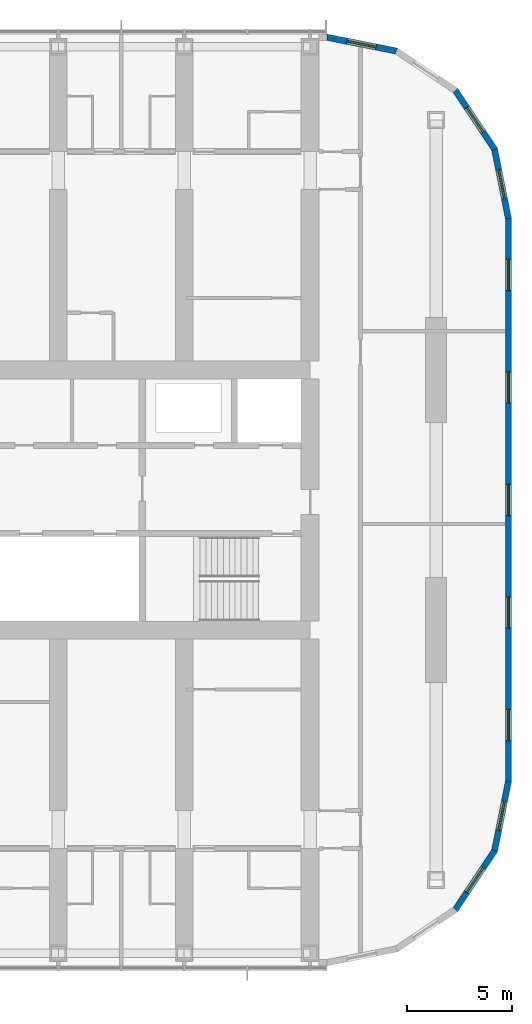
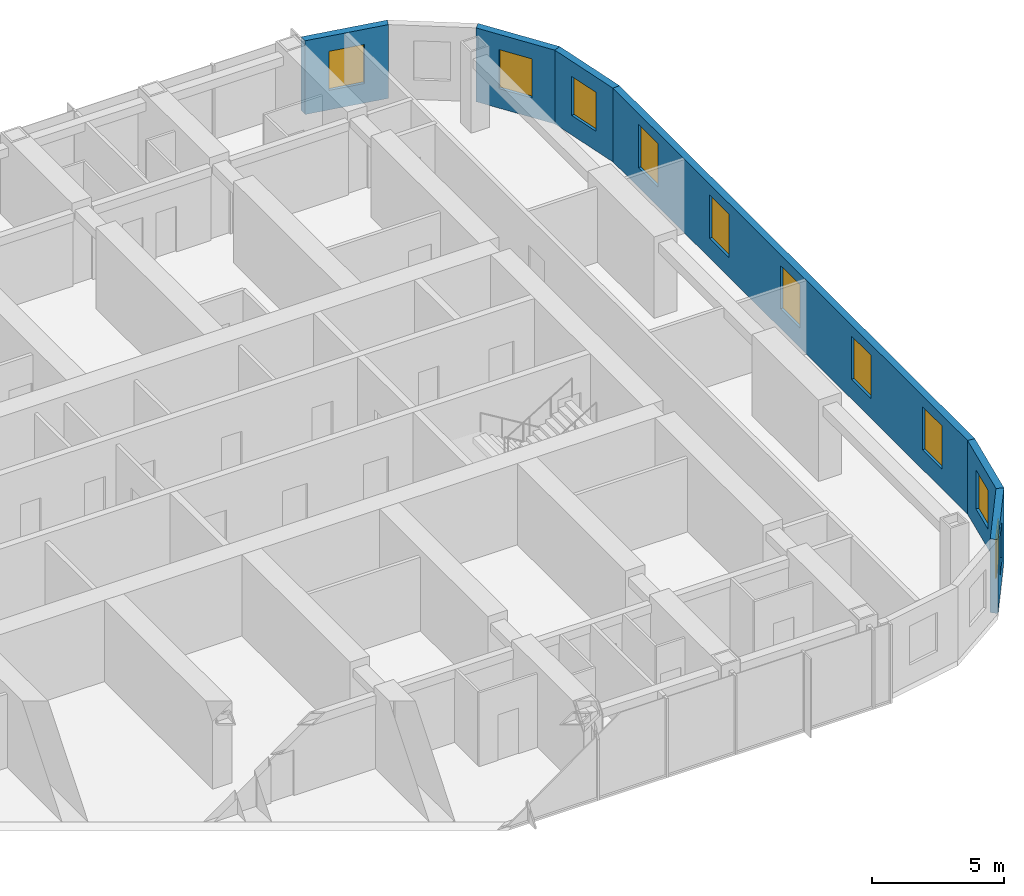
# One storey, part 17 of 22: 10 windows, 6 walls, 10 openings.
"""IFC4 building model written with IfcOpenShell, lengths in metres."""

import ifcopenshell
import ifcopenshell.guid

model = None  # the IFC model being written
_history = None  # IfcOwnerHistory: only IFC2X3 demands one
_inside = {}  # id of a spatial element -> (the spatial element, [elements in it])
_under = {}  # id of a project, library or spatial element -> (it, [spatial elements below it])
_declared = {}  # id of a project -> (the project, [libraries it declares])
_typed = {}  # id of a type object -> (the type object, [elements of that type])
_made_of = {}  # id of a material, layer set ... -> (it, [elements and type objects made of it])


def new_model(schema):
    """Start an empty IFC model of exactly this schema.

    Asked for "IFC4X3", IfcOpenShell would pick the latest addendum, in which some entities
    have other attributes; the version numbers below select the first issue.
    IFC2X3 requires an IfcOwnerHistory on every rooted entity: one is made here for all.
    """
    global model, _history
    if schema == "IFC4X3":
        model = ifcopenshell.file(schema_version=(4, 3, 0, 0))
    else:
        model = ifcopenshell.file(schema=schema)
    _inside.clear()
    _under.clear()
    _declared.clear()
    _typed.clear()
    _made_of.clear()
    _history = None
    if model.schema == "IFC2X3":
        org = make("IfcOrganization", Name="unknown")
        user = make(
            "IfcPersonAndOrganization",
            ThePerson=make("IfcPerson", FamilyName="unknown"),
            TheOrganization=org,
        )
        app = make(
            "IfcApplication",
            ApplicationDeveloper=org,
            Version="unknown",
            ApplicationFullName="unknown",
            ApplicationIdentifier="unknown",
        )
        _history = make(
            "IfcOwnerHistory",
            OwningUser=user,
            OwningApplication=app,
            ChangeAction="ADDED",
            CreationDate=0,
        )
    return model


def make(cls, **values):
    """One entity of the class cls with the attributes given. An attribute that is None is left unset."""
    return model.create_entity(
        cls, **{name: value for name, value in values.items() if value is not None}
    )


def rooted(cls, **values):
    """An entity with a GlobalId (a new one), such as an element, a storey or a relation."""
    return make(cls, GlobalId=ifcopenshell.guid.new(), OwnerHistory=_history, **values)


def si_unit(unit_type, name, prefix=None):
    """IfcSIUnit, for example si_unit("LENGTHUNIT", "METRE", prefix="MILLI")."""
    return make("IfcSIUnit", UnitType=unit_type, Prefix=prefix, Name=name)


def assignment(units):
    """IfcUnitAssignment: the units of a project."""
    return None if units is None else make("IfcUnitAssignment", Units=units)


def point(xyz):
    """IfcCartesianPoint."""
    return None if xyz is None else make("IfcCartesianPoint", Coordinates=xyz)


def direction(xyz):
    """IfcDirection."""
    return None if xyz is None else make("IfcDirection", DirectionRatios=xyz)


def frame(location, z_axis=None, x_axis=None):
    """IfcAxis2Placement3D, a coordinate frame: its origin and axes. An axis left out is left unset."""
    return make(
        "IfcAxis2Placement3D",
        Location=point(location),
        Axis=direction(z_axis),
        RefDirection=direction(x_axis),
    )


def frame_2d(location, x_axis=None):
    """IfcAxis2Placement2D, a coordinate frame in the plane: its origin and x axis."""
    return make(
        "IfcAxis2Placement2D", Location=point(location), RefDirection=direction(x_axis)
    )


def origin():
    """The frame at (0, 0, 0) with its axes left unset."""
    return frame((0.0, 0.0, 0.0))


def place(relative_to, where):
    """IfcLocalPlacement: puts the frame where relative to a parent placement (None: the world)."""
    return make(
        "IfcLocalPlacement", PlacementRelTo=relative_to, RelativePlacement=where
    )


def context(
    kind, dimensions, precision=None, world=None, true_north=None, identifier=None
):
    """IfcGeometricRepresentationContext, for example the 3D "Model" context."""
    return make(
        "IfcGeometricRepresentationContext",
        ContextIdentifier=identifier,
        ContextType=kind,
        CoordinateSpaceDimension=dimensions,
        Precision=precision,
        WorldCoordinateSystem=world,
        TrueNorth=true_north,
    )


def subcontext(parent, identifier, kind, view, scale=None):
    """IfcGeometricRepresentationSubContext, for example "Body" below "Model"."""
    return make(
        "IfcGeometricRepresentationSubContext",
        ContextIdentifier=identifier,
        ContextType=kind,
        ParentContext=parent,
        TargetScale=scale,
        TargetView=view,
    )


def project(units=None, contexts=None):
    """IfcProject with its units and contexts."""
    return rooted(
        "IfcProject",
        Name="project",
        RepresentationContexts=contexts,
        UnitsInContext=assignment(units),
    )


def spatial(cls, under=None, at=None, **own):
    """A site, building, storey or space (cls), placed at a placement, below another one or the project."""
    s = rooted(cls, ObjectPlacement=at, **own)
    if under is not None:
        _under.setdefault(under.id(), (under, []))[1].append(s)
    return s


def polyline(points):
    """IfcPolyline through the points."""
    return make("IfcPolyline", Points=[point(p) for p in points])


def profile(cls, at=None, kind="AREA", **sizes):
    """A parametric profile (cls). Its sizes go by their IFC names, for example OverallWidth=200.0."""
    return make(cls, ProfileType=kind, Position=at, **sizes)


def rectangle(**sizes):
    """IfcRectangleProfileDef."""
    return profile("IfcRectangleProfileDef", **sizes)


def outline(outer, holes=None, kind="AREA"):
    """IfcArbitraryClosedProfileDef: a profile drawn as a closed curve; with holes, ...WithVoids."""
    if holes is None:
        return make("IfcArbitraryClosedProfileDef", ProfileType=kind, OuterCurve=outer)
    return make(
        "IfcArbitraryProfileDefWithVoids",
        ProfileType=kind,
        OuterCurve=outer,
        InnerCurves=holes,
    )


def extrude(swept, where, along, depth):
    """IfcExtrudedAreaSolid: the profile swept, set in the frame where, extruded along a direction by depth."""
    return make(
        "IfcExtrudedAreaSolid",
        SweptArea=swept,
        Position=where,
        ExtrudedDirection=direction(along),
        Depth=depth,
    )


def shape(context_of_items, identifier, shape_type, items):
    """IfcShapeRepresentation: the items that make up one representation, for example the "Body"."""
    return make(
        "IfcShapeRepresentation",
        ContextOfItems=context_of_items,
        RepresentationIdentifier=identifier,
        RepresentationType=shape_type,
        Items=items,
    )


def material(Name=None, Category=None):
    """IfcMaterial."""
    return make("IfcMaterial", Name=Name, Category=Category)


def layer(
    of_material, thickness, ventilated=None, Name=None, Category=None, Priority=None
):
    """IfcMaterialLayer: one layer of a wall or slab, of a material (None: an air gap)."""
    return make(
        "IfcMaterialLayer",
        Material=of_material,
        LayerThickness=thickness,
        IsVentilated=ventilated,
        Name=Name,
        Category=Category,
        Priority=Priority,
    )


def layer_set(layers, Name=None):
    """IfcMaterialLayerSet."""
    return make("IfcMaterialLayerSet", MaterialLayers=layers, LayerSetName=Name)


def made_of(thing, what):
    """Note that an element or type object is made of a material, layer set ...; save() writes the relation."""
    if what is not None:
        _made_of.setdefault(what.id(), (what, []))[1].append(thing)
    return thing


def type_object(cls, material=None, **own):
    """A type object (cls), such as IfcWallType, which elements share."""
    return made_of(rooted(cls, **own), material)


def element(
    cls,
    number,
    at=None,
    inside=None,
    cuts=None,
    type_object=None,
    material=None,
    context=None,
    identifier="Body",
    shape_type=None,
    held_by="IfcProductDefinitionShape",
    body=None,
    shapes=None,
    **own,
):
    """One element of the class cls, such as IfcWall. Its Tag is "e" and its number.

    at: its placement. inside: the storey or other place that contains it. cuts: it is an
    opening in that element (IfcRelVoidsElement). A single representation is given by context,
    identifier, shape_type and body (its items); several are given by shapes. held_by: the class
    of the entity that holds the representations. save() writes the other relations.
    """
    e = rooted(cls, Tag="e%d" % number, ObjectPlacement=at, **own)
    if body is not None:
        shapes = [shape(context, identifier, shape_type, body)]
    if shapes is not None:
        e.Representation = make(held_by, Representations=shapes)
    if inside is not None:
        _inside.setdefault(inside.id(), (inside, []))[1].append(e)
    if cuts is not None:
        rooted(
            "IfcRelVoidsElement", RelatingBuildingElement=cuts, RelatedOpeningElement=e
        )
    if type_object is not None:
        _typed.setdefault(type_object.id(), (type_object, []))[1].append(e)
    return made_of(e, material)


def fill(opening, filler):
    """IfcRelFillsElement: the door or window that sits in an opening."""
    return rooted(
        "IfcRelFillsElement",
        RelatingOpeningElement=opening,
        RelatedBuildingElement=filler,
    )


def aggregate(whole, parts):
    """IfcRelAggregates: a whole, such as a stair, and the parts it consists of."""
    return rooted("IfcRelAggregates", RelatingObject=whole, RelatedObjects=parts)


def save(model, path):
    """Write the relations noted so far, then the file.

    IfcRelAggregates (storeys below a building ...), IfcRelContainedInSpatialStructure (elements
    in a storey), IfcRelDefinesByType, IfcRelAssociatesMaterial and IfcRelDeclares: one each for
    every whole, place, type object, material and project.
    """
    for whole, parts in _under.values():
        aggregate(whole, parts)
    for where, things in _inside.values():
        rooted(
            "IfcRelContainedInSpatialStructure",
            RelatedElements=things,
            RelatingStructure=where,
        )
    for kind, things in _typed.values():
        rooted("IfcRelDefinesByType", RelatedObjects=things, RelatingType=kind)
    for what, things in _made_of.values():
        rooted("IfcRelAssociatesMaterial", RelatedObjects=things, RelatingMaterial=what)
    for by, libraries in _declared.values():
        rooted("IfcRelDeclares", RelatingContext=by, RelatedDefinitions=libraries)
    model.write(path)


model = new_model("IFC4")

# Units and contexts
model_context = context("Model", 3, precision=1e-05, world=origin(), true_north=direction((0.0, 1.0)))
body_context = subcontext(model_context, "Body", "Model", "MODEL_VIEW")
ifc_project = project(units=[si_unit("LENGTHUNIT", "METRE"), si_unit("AREAUNIT", "SQUARE_METRE"), si_unit("VOLUMEUNIT", "CUBIC_METRE"), si_unit("PLANEANGLEUNIT", "RADIAN"), si_unit("MASSUNIT", "GRAM", prefix="KILO")], contexts=[model_context])

# Site, building, storey
site_placement = place(None, origin())
site = spatial("IfcSite", under=ifc_project, at=site_placement, CompositionType="ELEMENT")
building_placement = place(site_placement, origin())
building = spatial("IfcBuilding", under=site, at=building_placement, Name="Orbita Commons", CompositionType="ELEMENT")
storey_placement = place(building_placement, frame((0.0, 0.0, 197.35009765625)))
storey = spatial("IfcBuildingStorey", under=building, at=storey_placement, Name="L49", CompositionType="ELEMENT", Elevation=197.35009765625)

# Wall, openings, windows
ifc_material_1 = material(Name="Precast concrete C40/50, white board-marked finish", Category="concrete")
ifc_layer = layer(ifc_material_1, 0.300048828125)
ifc_layer_set = layer_set([ifc_layer], Name="Precast concrete C40/50, white board-marked finish")
wall_type = type_object("IfcWallType", Name="Precast concrete end shield 300", PredefinedType="SOLIDWALL", material=ifc_layer_set)
wall_1_placement = place(storey_placement, frame((75.449951171875, 18.60009765625, 0.0), z_axis=(0.0, 0.0, 1.0), x_axis=(0.0, 1.0, 0.0)))
wall_1 = element("IfcWall", 1, at=wall_1_placement, inside=storey, type_object=wall_type, Name="End shield E L49", PredefinedType="SOLIDWALL", context=body_context, shape_type="SweptSolid", body=[
    extrude(outline(polyline([(-0.014892578125, -0.14990234375), (26.814697265625, -0.14990234375), (26.784912109375, 0.14990234375), (0.014892578125, 0.14990234375), (-0.014892578125, -0.14990234375)])), origin(), (0.0, 0.0, 1.0), 3.39990234375),
])
opening_1_placement = place(wall_1_placement, frame((1.929931640625, 0.0, 0.89990234375)))
opening_1 = element("IfcOpeningElement", 2, at=opening_1_placement, cuts=wall_1, Name="Opening W01", PredefinedType="OPENING", context=body_context, shape_type="SweptSolid", body=[
    extrude(rectangle(XDim=1.5, YDim=2.0, at=frame_2d((0.75, 1.0))), frame((0.0, 0.159912109375, 0.0), z_axis=(0.0, -1.0, 0.0), x_axis=(1.0, 0.0, 0.0)), (0.0, 0.0, 1.0), 0.320068359375),
])
opening_2_placement = place(wall_1_placement, frame((7.2900390625, 0.0, 0.89990234375)))
opening_2 = element("IfcOpeningElement", 3, at=opening_2_placement, cuts=wall_1, Name="Opening W01", PredefinedType="OPENING", context=body_context, shape_type="SweptSolid", body=[
    extrude(rectangle(XDim=1.5, YDim=2.0, at=frame_2d((0.75, 1.0))), frame((0.0, 0.159912109375, 0.0), z_axis=(0.0, -1.0, 0.0), x_axis=(1.0, 0.0, 0.0)), (0.0, 0.0, 1.0), 0.320068359375),
])
opening_3_placement = place(wall_1_placement, frame((12.64990234375, 0.0, 0.89990234375)))
opening_3 = element("IfcOpeningElement", 4, at=opening_3_placement, cuts=wall_1, Name="Opening W01", PredefinedType="OPENING", context=body_context, shape_type="SweptSolid", body=[
    extrude(rectangle(XDim=1.5, YDim=2.0, at=frame_2d((0.75, 1.0))), frame((0.0, 0.159912109375, 0.0), z_axis=(0.0, -1.0, 0.0), x_axis=(1.0, 0.0, 0.0)), (0.0, 0.0, 1.0), 0.320068359375),
])
opening_4_placement = place(wall_1_placement, frame((18.010009765625, 0.0, 0.89990234375)))
opening_4 = element("IfcOpeningElement", 5, at=opening_4_placement, cuts=wall_1, Name="Opening W01", PredefinedType="OPENING", context=body_context, shape_type="SweptSolid", body=[
    extrude(rectangle(XDim=1.5, YDim=2.0, at=frame_2d((0.75, 1.0))), frame((0.0, 0.159912109375, 0.0), z_axis=(0.0, -1.0, 0.0), x_axis=(1.0, 0.0, 0.0)), (0.0, 0.0, 1.0), 0.320068359375),
])
opening_5_placement = place(wall_1_placement, frame((23.3701171875, 0.0, 0.89990234375)))
opening_5 = element("IfcOpeningElement", 6, at=opening_5_placement, cuts=wall_1, Name="Opening W01", PredefinedType="OPENING", context=body_context, shape_type="SweptSolid", body=[
    extrude(rectangle(XDim=1.5, YDim=2.0, at=frame_2d((0.75, 1.0))), frame((0.0, 0.159912109375, 0.0), z_axis=(0.0, -1.0, 0.0), x_axis=(1.0, 0.0, 0.0)), (0.0, 0.0, 1.0), 0.320068359375),
])
ifc_material_2 = material(Name="Aluminium frame, clear double glazing", Category="aluminium")
window_type_1 = type_object("IfcWindowType", Name="Deep-set window 1500x2000", PartitioningType="SINGLE_PANEL", PredefinedType="WINDOW", material=ifc_material_2)
window_1_placement = place(opening_1_placement, origin())
window_1 = element("IfcWindow", 7, at=window_1_placement, inside=storey, type_object=window_type_1, Name="Window L49-E 1", OverallHeight=2.0, OverallWidth=1.5, PartitioningType="SINGLE_PANEL", PredefinedType="WINDOW", context=body_context, shape_type="SweptSolid", body=[
    extrude(rectangle(XDim=1.5, YDim=2.0, at=frame_2d((0.75, 1.0))), frame((0.0, 0.030029296875, 0.0), z_axis=(0.0, -1.0, 0.0), x_axis=(1.0, 0.0, 0.0)), (0.0, 0.0, 1.0), 0.06005859375),
])
fill(opening_1, window_1)
window_2_placement = place(opening_2_placement, origin())
window_2 = element("IfcWindow", 8, at=window_2_placement, inside=storey, type_object=window_type_1, Name="Window L49-E 2", OverallHeight=2.0, OverallWidth=1.5, PartitioningType="SINGLE_PANEL", PredefinedType="WINDOW", context=body_context, shape_type="SweptSolid", body=[
    extrude(rectangle(XDim=1.5, YDim=2.0, at=frame_2d((0.75, 1.0))), frame((0.0, 0.030029296875, 0.0), z_axis=(0.0, -1.0, 0.0), x_axis=(1.0, 0.0, 0.0)), (0.0, 0.0, 1.0), 0.06005859375),
])
fill(opening_2, window_2)
window_3_placement = place(opening_3_placement, origin())
window_3 = element("IfcWindow", 9, at=window_3_placement, inside=storey, type_object=window_type_1, Name="Window L49-E 3", OverallHeight=2.0, OverallWidth=1.5, PartitioningType="SINGLE_PANEL", PredefinedType="WINDOW", context=body_context, shape_type="SweptSolid", body=[
    extrude(rectangle(XDim=1.5, YDim=2.0, at=frame_2d((0.75, 1.0))), frame((0.0, 0.030029296875, 0.0), z_axis=(0.0, -1.0, 0.0), x_axis=(1.0, 0.0, 0.0)), (0.0, 0.0, 1.0), 0.06005859375),
])
fill(opening_3, window_3)
window_4_placement = place(opening_4_placement, origin())
window_4 = element("IfcWindow", 10, at=window_4_placement, inside=storey, type_object=window_type_1, Name="Window L49-E 4", OverallHeight=2.0, OverallWidth=1.5, PartitioningType="SINGLE_PANEL", PredefinedType="WINDOW", context=body_context, shape_type="SweptSolid", body=[
    extrude(rectangle(XDim=1.5, YDim=2.0, at=frame_2d((0.75, 1.0))), frame((0.0, 0.030029296875, 0.0), z_axis=(0.0, -1.0, 0.0), x_axis=(1.0, 0.0, 0.0)), (0.0, 0.0, 1.0), 0.06005859375),
])
fill(opening_4, window_4)
window_5_placement = place(opening_5_placement, origin())
window_5 = element("IfcWindow", 11, at=window_5_placement, inside=storey, type_object=window_type_1, Name="Window L49-E 5", OverallHeight=2.0, OverallWidth=1.5, PartitioningType="SINGLE_PANEL", PredefinedType="WINDOW", context=body_context, shape_type="SweptSolid", body=[
    extrude(rectangle(XDim=1.5, YDim=2.0, at=frame_2d((0.75, 1.0))), frame((0.0, 0.030029296875, 0.0), z_axis=(0.0, -1.0, 0.0), x_axis=(1.0, 0.0, 0.0)), (0.0, 0.0, 1.0), 0.06005859375),
])
fill(opening_5, window_5)

# Wall, opening, window
wall_2_placement = place(storey_placement, frame((72.91650390625, 12.4833984375, 0.0), z_axis=(0.0, 0.0, 1.0), x_axis=(0.555534554399, 0.831493450887, 0.0)))
wall_2 = element("IfcWall", 12, at=wall_2_placement, inside=storey, type_object=wall_type, Name="End shield SE chord 3 L49", PredefinedType="SOLIDWALL", context=body_context, shape_type="SweptSolid", body=[
    extrude(outline(polyline([(-0.02978515625, -0.14990234375), (3.405029296875, -0.14990234375), (3.345458984375, 0.14990234375), (0.02978515625, 0.14990234375), (-0.02978515625, -0.14990234375)])), origin(), (0.0, 0.0, 1.0), 3.39990234375),
])
opening_6_placement = place(wall_2_placement, frame((0.987548828125, 0.0, 0.89990234375)))
opening_6 = element("IfcOpeningElement", 13, at=opening_6_placement, cuts=wall_2, Name="Opening W02", PredefinedType="OPENING", context=body_context, shape_type="SweptSolid", body=[
    extrude(rectangle(XDim=1.39990234375, YDim=1.800048828125, at=frame_2d((0.699951171875, 0.89990234375))), frame((0.0, 0.159912109375, 0.0), z_axis=(0.0, -1.0, 0.0), x_axis=(1.0, 0.0, 0.0)), (0.0, 0.0, 1.0), 0.320068359375),
])
ifc_material_3 = material(Name="Aluminium frame, clear double glazing", Category="aluminium")
window_type_2 = type_object("IfcWindowType", Name="Deep-set window 1400x1800", PartitioningType="SINGLE_PANEL", PredefinedType="WINDOW", material=ifc_material_3)
window_6_placement = place(opening_6_placement, origin())
window_6 = element("IfcWindow", 14, at=window_6_placement, inside=storey, type_object=window_type_2, Name="Window L49-SE2", OverallHeight=1.800048828125, OverallWidth=1.39990234375, PartitioningType="SINGLE_PANEL", PredefinedType="WINDOW", context=body_context, shape_type="SweptSolid", body=[
    extrude(rectangle(XDim=1.39990234375, YDim=1.800048828125, at=frame_2d((0.699951171875, 0.89990234375))), frame((0.0, 0.030029296875, 0.0), z_axis=(0.0, -1.0, 0.0), x_axis=(1.0, 0.0, 0.0)), (0.0, 0.0, 1.0), 0.06005859375),
])
fill(opening_6, window_6)

wall_3_placement = place(storey_placement, frame((74.79150390625, 15.289794921875, 0.0), z_axis=(0.0, 0.0, 1.0), x_axis=(0.19508664885, 0.980786011034, 0.0)))
wall_3 = element("IfcWall", 15, at=wall_3_placement, inside=storey, type_object=wall_type, Name="End shield SE chord 4 L49", PredefinedType="SOLIDWALL", context=body_context, shape_type="SweptSolid", body=[
    extrude(outline(polyline([(-0.02978515625, -0.14990234375), (3.39013671875, -0.14990234375), (3.3603515625, 0.14990234375), (0.02978515625, 0.14990234375), (-0.02978515625, -0.14990234375)])), origin(), (0.0, 0.0, 1.0), 3.39990234375),
])
opening_7_placement = place(wall_3_placement, frame((0.987548828125, 0.0, 0.89990234375)))
opening_7 = element("IfcOpeningElement", 16, at=opening_7_placement, cuts=wall_3, Name="Opening W02", PredefinedType="OPENING", context=body_context, shape_type="SweptSolid", body=[
    extrude(rectangle(XDim=1.39990234375, YDim=1.800048828125, at=frame_2d((0.699951171875, 0.89990234375))), frame((0.0, 0.159912109375, 0.0), z_axis=(0.0, -1.0, 0.0), x_axis=(1.0, 0.0, 0.0)), (0.0, 0.0, 1.0), 0.320068359375),
])
window_7_placement = place(opening_7_placement, origin())
window_7 = element("IfcWindow", 17, at=window_7_placement, inside=storey, type_object=window_type_2, Name="Window L49-SE3", OverallHeight=1.800048828125, OverallWidth=1.39990234375, PartitioningType="SINGLE_PANEL", PredefinedType="WINDOW", context=body_context, shape_type="SweptSolid", body=[
    extrude(rectangle(XDim=1.39990234375, YDim=1.800048828125, at=frame_2d((0.699951171875, 0.89990234375))), frame((0.0, 0.030029296875, 0.0), z_axis=(0.0, -1.0, 0.0), x_axis=(1.0, 0.0, 0.0)), (0.0, 0.0, 1.0), 0.06005859375),
])
fill(opening_7, window_7)

wall_4_placement = place(storey_placement, frame((75.449951171875, 45.39990234375, 0.0), z_axis=(0.0, 0.0, 1.0), x_axis=(-0.19508664885, 0.980786011034, 0.0)))
wall_4 = element("IfcWall", 18, at=wall_4_placement, inside=storey, type_object=wall_type, Name="End shield NE chord 1 L49", PredefinedType="SOLIDWALL", context=body_context, shape_type="SweptSolid", body=[
    extrude(outline(polyline([(-0.014892578125, -0.14990234375), (3.405029296875, -0.14990234375), (3.345458984375, 0.14990234375), (0.014892578125, 0.14990234375), (-0.014892578125, -0.14990234375)])), origin(), (0.0, 0.0, 1.0), 3.39990234375),
])
opening_8_placement = place(wall_4_placement, frame((0.987548828125, 0.0, 0.89990234375)))
opening_8 = element("IfcOpeningElement", 19, at=opening_8_placement, cuts=wall_4, Name="Opening W02", PredefinedType="OPENING", context=body_context, shape_type="SweptSolid", body=[
    extrude(rectangle(XDim=1.39990234375, YDim=1.800048828125, at=frame_2d((0.699951171875, 0.89990234375))), frame((0.0, 0.159912109375, 0.0), z_axis=(0.0, -1.0, 0.0), x_axis=(1.0, 0.0, 0.0)), (0.0, 0.0, 1.0), 0.320068359375),
])
window_8_placement = place(opening_8_placement, origin())
window_8 = element("IfcWindow", 20, at=window_8_placement, inside=storey, type_object=window_type_2, Name="Window L49-NE0", OverallHeight=1.800048828125, OverallWidth=1.39990234375, PartitioningType="SINGLE_PANEL", PredefinedType="WINDOW", context=body_context, shape_type="SweptSolid", body=[
    extrude(rectangle(XDim=1.39990234375, YDim=1.800048828125, at=frame_2d((0.699951171875, 0.89990234375))), frame((0.0, 0.030029296875, 0.0), z_axis=(0.0, -1.0, 0.0), x_axis=(1.0, 0.0, 0.0)), (0.0, 0.0, 1.0), 0.06005859375),
])
fill(opening_8, window_8)

wall_5_placement = place(storey_placement, frame((74.79150390625, 48.710205078125, 0.0), z_axis=(0.0, 0.0, 1.0), x_axis=(-0.555534554399, 0.831493450887, 0.0)))
wall_5 = element("IfcWall", 21, at=wall_5_placement, inside=storey, type_object=wall_type, Name="End shield NE chord 2 L49", PredefinedType="SOLIDWALL", context=body_context, shape_type="SweptSolid", body=[
    extrude(outline(polyline([(-0.02978515625, -0.14990234375), (3.405029296875, -0.14990234375), (3.345458984375, 0.14990234375), (0.02978515625, 0.14990234375), (-0.02978515625, -0.14990234375)])), origin(), (0.0, 0.0, 1.0), 3.39990234375),
])
opening_9_placement = place(wall_5_placement, frame((0.987548828125, 0.0, 0.89990234375)))
opening_9 = element("IfcOpeningElement", 22, at=opening_9_placement, cuts=wall_5, Name="Opening W02", PredefinedType="OPENING", context=body_context, shape_type="SweptSolid", body=[
    extrude(rectangle(XDim=1.39990234375, YDim=1.800048828125, at=frame_2d((0.699951171875, 0.89990234375))), frame((0.0, 0.159912109375, 0.0), z_axis=(0.0, -1.0, 0.0), x_axis=(1.0, 0.0, 0.0)), (0.0, 0.0, 1.0), 0.320068359375),
])
window_9_placement = place(opening_9_placement, origin())
window_9 = element("IfcWindow", 23, at=window_9_placement, inside=storey, type_object=window_type_2, Name="Window L49-NE1", OverallHeight=1.800048828125, OverallWidth=1.39990234375, PartitioningType="SINGLE_PANEL", PredefinedType="WINDOW", context=body_context, shape_type="SweptSolid", body=[
    extrude(rectangle(XDim=1.39990234375, YDim=1.800048828125, at=frame_2d((0.699951171875, 0.89990234375))), frame((0.0, 0.030029296875, 0.0), z_axis=(0.0, -1.0, 0.0), x_axis=(1.0, 0.0, 0.0)), (0.0, 0.0, 1.0), 0.06005859375),
])
fill(opening_9, window_9)

wall_6_placement = place(storey_placement, frame((70.110107421875, 53.3916015625, 0.0), z_axis=(0.0, 0.0, 1.0), x_axis=(-0.98078325777, 0.195100490205, 0.0)))
wall_6 = element("IfcWall", 24, at=wall_6_placement, inside=storey, type_object=wall_type, Name="End shield NE chord 4 L49", PredefinedType="SOLIDWALL", context=body_context, shape_type="SweptSolid", body=[
    extrude(outline(polyline([(-0.02978515625, -0.14990234375), (3.40478515625, -0.14990234375), (3.34521484375, 0.14990234375), (0.02978515625, 0.14990234375), (-0.02978515625, -0.14990234375)])), origin(), (0.0, 0.0, 1.0), 3.39990234375),
])
opening_10_placement = place(wall_6_placement, frame((0.987548828125, 0.0, 0.89990234375)))
opening_10 = element("IfcOpeningElement", 25, at=opening_10_placement, cuts=wall_6, Name="Opening W02", PredefinedType="OPENING", context=body_context, shape_type="SweptSolid", body=[
    extrude(rectangle(XDim=1.39990234375, YDim=1.800048828125, at=frame_2d((0.699951171875, 0.89990234375))), frame((0.0, 0.159912109375, 0.0), z_axis=(0.0, -1.0, 0.0), x_axis=(1.0, 0.0, 0.0)), (0.0, 0.0, 1.0), 0.320068359375),
])
window_10_placement = place(opening_10_placement, origin())
window_10 = element("IfcWindow", 26, at=window_10_placement, inside=storey, type_object=window_type_2, Name="Window L49-NE3", OverallHeight=1.800048828125, OverallWidth=1.39990234375, PartitioningType="SINGLE_PANEL", PredefinedType="WINDOW", context=body_context, shape_type="SweptSolid", body=[
    extrude(rectangle(XDim=1.39990234375, YDim=1.800048828125, at=frame_2d((0.699951171875, 0.89990234375))), frame((0.0, 0.030029296875, 0.0), z_axis=(0.0, -1.0, 0.0), x_axis=(1.0, 0.0, 0.0)), (0.0, 0.0, 1.0), 0.06005859375),
])
fill(opening_10, window_10)

save(model, "model.ifc")
